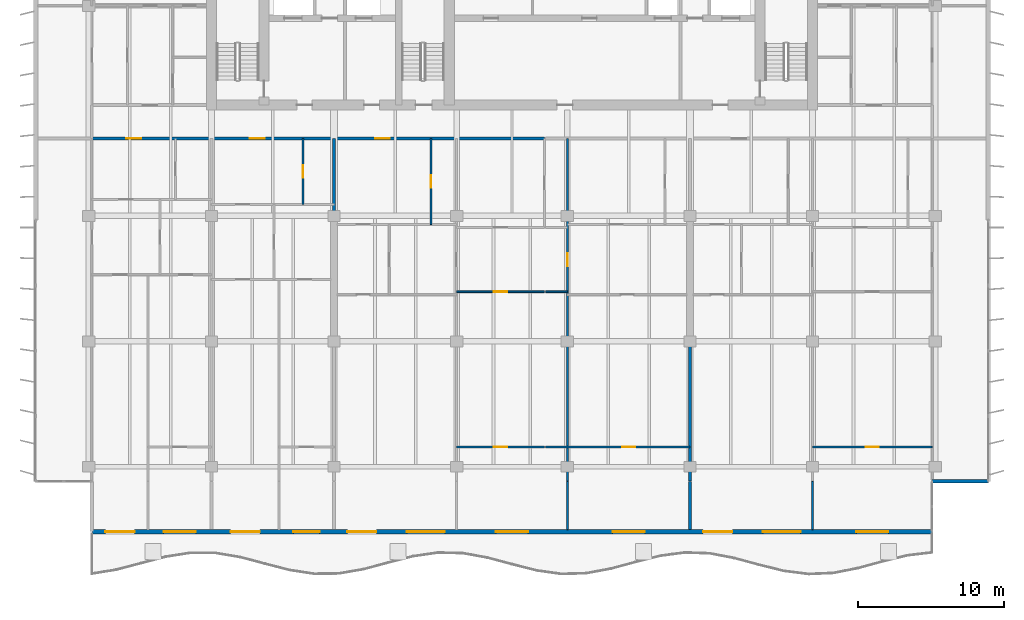
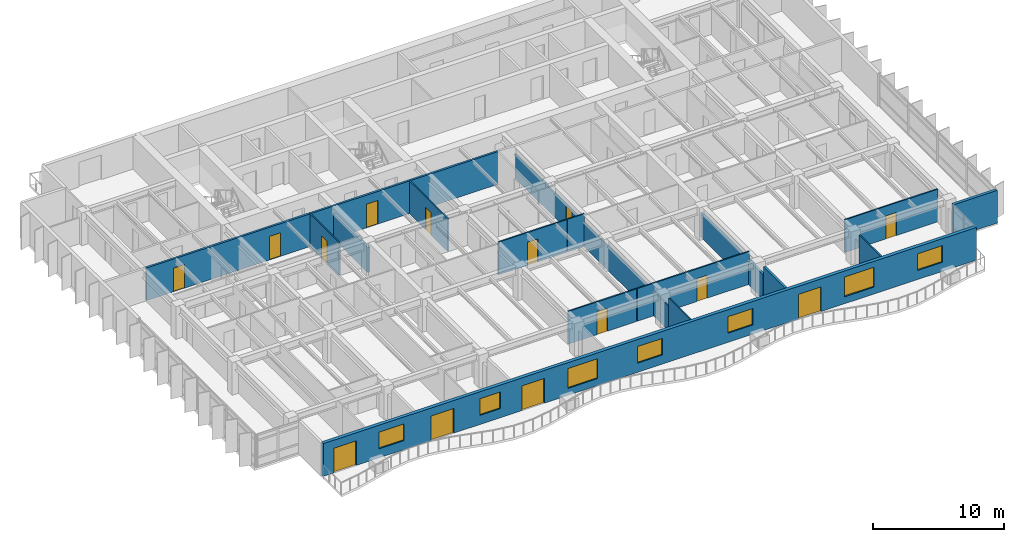
# One storey, part 9 of 17: 16 walls, 14 doors, 7 windows, 21 openings.
"""IFC4 building model written with IfcOpenShell, lengths in metres."""

from ifc_helpers import new_model, si_unit, direction, frame, frame_2d, origin, place, context, subcontext, project, spatial, rectangle, extrude, material, layer, layer_set, type_object, element, fill, save


model = new_model("IFC4")

# Units and contexts
model_context = context("Model", 3, precision=1e-05, world=origin(), true_north=direction((0.0, 1.0)))
body_context = subcontext(model_context, "Body", "Model", "MODEL_VIEW")
ifc_project = project(units=[si_unit("LENGTHUNIT", "METRE"), si_unit("AREAUNIT", "SQUARE_METRE"), si_unit("VOLUMEUNIT", "CUBIC_METRE"), si_unit("PLANEANGLEUNIT", "RADIAN"), si_unit("MASSUNIT", "GRAM", prefix="KILO")], contexts=[model_context])

# Site, building, storey
site_placement = place(None, origin())
site = spatial("IfcSite", under=ifc_project, at=site_placement, CompositionType="ELEMENT")
building_placement = place(site_placement, origin())
building = spatial("IfcBuilding", under=site, at=building_placement, Name="Caelmar Bay Residences", CompositionType="ELEMENT")
storey_placement = place(building_placement, frame((0.0, 0.0, 201.60009765625)))
storey = spatial("IfcBuildingStorey", under=building, at=storey_placement, Name="L56", CompositionType="ELEMENT", Elevation=201.60009765625)

# Wall, openings, doors
ifc_material_1 = material(Name="Double-stud acoustic fire-rated gypsum partition 180 mm")
ifc_layer_1 = layer(ifc_material_1, 0.179931640625)
ifc_layer_set_1 = layer_set([ifc_layer_1], Name="Double-stud acoustic fire-rated gypsum partition 180 mm")
wall_type_1 = type_object("IfcWallType", Name="W-COR-200", PredefinedType="PARTITIONING", material=ifc_layer_set_1)
wall_1_placement = place(storey_placement, frame((10.10498046875, 34.699951171875, 0.0), z_axis=(0.0, 0.0, 1.0), x_axis=(1.0, 0.0, 0.0)))
wall_1 = element("IfcWall", 1, at=wall_1_placement, inside=storey, type_object=wall_type_1, Name="L56 Partition Wall H078", PredefinedType="PARTITIONING", context=body_context, shape_type="SweptSolid", body=[
    extrude(rectangle(XDim=31.02099609375, YDim=0.179931640625, at=frame_2d((15.510498046875, 0.0))), origin(), (0.0, 0.0, 1.0), 3.0498046875),
])
opening_1_placement = place(wall_1_placement, frame((2.365478515625, 0.0, 0.0)))
opening_1 = element("IfcOpeningElement", 2, at=opening_1_placement, cuts=wall_1, Name="Opening D-L56-122", PredefinedType="OPENING", context=body_context, shape_type="SweptSolid", body=[
    extrude(rectangle(XDim=1.0, YDim=2.199951171875, at=frame_2d((0.5, 1.10009765625))), frame((0.0, 0.099853515625, 0.0), z_axis=(0.0, -1.0, 0.0), x_axis=(1.0, 0.0, 0.0)), (0.0, 0.0, 1.0), 0.199951171875),
])
opening_2_placement = place(wall_1_placement, frame((10.8330078125, 0.0, 0.0)))
opening_2 = element("IfcOpeningElement", 3, at=opening_2_placement, cuts=wall_1, Name="Opening D-L56-129", PredefinedType="OPENING", context=body_context, shape_type="SweptSolid", body=[
    extrude(rectangle(XDim=1.0, YDim=2.199951171875, at=frame_2d((0.5, 1.10009765625))), frame((0.0, 0.099853515625, 0.0), z_axis=(0.0, -1.0, 0.0), x_axis=(1.0, 0.0, 0.0)), (0.0, 0.0, 1.0), 0.199951171875),
])
opening_3_placement = place(wall_1_placement, frame((19.422119140625, 0.0, 0.0)))
opening_3 = element("IfcOpeningElement", 4, at=opening_3_placement, cuts=wall_1, Name="Opening D-L56-136", PredefinedType="OPENING", context=body_context, shape_type="SweptSolid", body=[
    extrude(rectangle(XDim=1.0, YDim=2.199951171875, at=frame_2d((0.5, 1.10009765625))), frame((0.0, 0.099853515625, 0.0), z_axis=(0.0, -1.0, 0.0), x_axis=(1.0, 0.0, 0.0)), (0.0, 0.0, 1.0), 0.199951171875),
])
ifc_material_2 = material(Name="Fire-rated steel and walnut architectural door assembly", Category="steel")
ifc_layer_2 = layer(ifc_material_2, 0.050048828125)
ifc_layer_set_2 = layer_set([ifc_layer_2], Name="Fire-rated steel and walnut architectural door assembly")
door_type_1 = type_object("IfcDoorType", Name="D-UNIT-1000", OperationType="NOTDEFINED", PredefinedType="DOOR", material=ifc_layer_set_2)
door_1_placement = place(opening_1_placement, origin())
door_1 = element("IfcDoor", 5, at=door_1_placement, inside=storey, type_object=door_type_1, Name="L56 Residence 01 Apartment Hall Door", OperationType="SINGLE_SWING_RIGHT", OverallHeight=2.199951171875, OverallWidth=1.0, PredefinedType="DOOR", context=body_context, shape_type="SweptSolid", body=[
    extrude(rectangle(XDim=1.0, YDim=2.199951171875, at=frame_2d((0.5, 1.10009765625))), frame((0.0, 0.02490234375, 0.0), z_axis=(0.0, -1.0, 0.0), x_axis=(1.0, 0.0, 0.0)), (0.0, 0.0, 1.0), 0.050048828125),
])
fill(opening_1, door_1)
door_2_placement = place(opening_2_placement, origin())
door_2 = element("IfcDoor", 6, at=door_2_placement, inside=storey, type_object=door_type_1, Name="L56 Residence 02 Apartment Hall Door", OperationType="SINGLE_SWING_LEFT", OverallHeight=2.199951171875, OverallWidth=1.0, PredefinedType="DOOR", context=body_context, shape_type="SweptSolid", body=[
    extrude(rectangle(XDim=1.0, YDim=2.199951171875, at=frame_2d((0.5, 1.10009765625))), frame((0.0, 0.02490234375, 0.0), z_axis=(0.0, -1.0, 0.0), x_axis=(1.0, 0.0, 0.0)), (0.0, 0.0, 1.0), 0.050048828125),
])
fill(opening_2, door_2)
door_3_placement = place(opening_3_placement, origin())
door_3 = element("IfcDoor", 7, at=door_3_placement, inside=storey, type_object=door_type_1, Name="L56 Residence 03 Apartment Hall Door", OperationType="SINGLE_SWING_RIGHT", OverallHeight=2.199951171875, OverallWidth=1.0, PredefinedType="DOOR", context=body_context, shape_type="SweptSolid", body=[
    extrude(rectangle(XDim=1.0, YDim=2.199951171875, at=frame_2d((0.5, 1.10009765625))), frame((0.0, 0.02490234375, 0.0), z_axis=(0.0, -1.0, 0.0), x_axis=(1.0, 0.0, 0.0)), (0.0, 0.0, 1.0), 0.050048828125),
])
fill(opening_3, door_3)

# Wall
ifc_material_3 = material(Name="Precast concrete f'c 40 MPa (6,000 psi)", Category="concrete")
ifc_layer_3 = layer(ifc_material_3, 0.25)
ifc_layer_set_3 = layer_set([ifc_layer_3], Name="Precast concrete f'c 40 MPa (6,000 psi)")
wall_type_2 = type_object("IfcWallType", Name="W-EXT-250", PredefinedType="ELEMENTEDWALL", material=ifc_layer_set_3)
wall_2_placement = place(storey_placement, frame((67.699951171875, 11.199951171875, 0.0), z_axis=(0.0, 0.0, 1.0), x_axis=(1.0, 0.0, 0.0)))
element("IfcWall", 8, at=wall_2_placement, inside=storey, type_object=wall_type_2, Name="L56 SE Notch Return Wall", PredefinedType="ELEMENTEDWALL", context=body_context, shape_type="SweptSolid", body=[
    extrude(rectangle(XDim=3.85009765625, YDim=0.25, at=frame_2d((1.925048828125, 0.0))), origin(), (0.0, 0.0, 1.0), 3.0498046875),
])

# Wall, openings, doors, windows
ifc_layer_4 = layer(ifc_material_3, 0.300048828125)
ifc_layer_set_4 = layer_set([ifc_layer_4], Name="Precast concrete f'c 40 MPa (6,000 psi)")
wall_type_3 = type_object("IfcWallType", Name="W-EXT-300", PredefinedType="STANDARD", material=ifc_layer_set_4)
wall_3_placement = place(storey_placement, frame((67.699951171875, 7.75, 0.0), z_axis=(0.0, 0.0, 1.0), x_axis=(-1.0, 0.0, 0.0)))
wall_3 = element("IfcWall", 9, at=wall_3_placement, inside=storey, type_object=wall_type_3, Name="L56 South Bayfront Exterior Wall", PredefinedType="STANDARD", context=body_context, shape_type="SweptSolid", body=[
    extrude(rectangle(XDim=57.599853515625, YDim=0.300048828125, at=frame_2d((28.7998046875, 0.0))), origin(), (0.0, 0.0, 1.0), 3.0498046875),
])
opening_4_placement = place(wall_3_placement, frame((54.673095703125, 0.0, 0.0)))
opening_4 = element("IfcOpeningElement", 10, at=opening_4_placement, cuts=wall_3, Name="Opening L56-BD01", PredefinedType="OPENING", context=body_context, shape_type="SweptSolid", body=[
    extrude(rectangle(XDim=2.0, YDim=2.300048828125, at=frame_2d((1.0, 1.14990234375))), frame((0.0, 0.159912109375, 0.0), z_axis=(0.0, -1.0, 0.0), x_axis=(1.0, 0.0, 0.0)), (0.0, 0.0, 1.0), 0.320068359375),
])
opening_5_placement = place(wall_3_placement, frame((50.472900390625, 0.0, 0.85009765625)))
opening_5 = element("IfcOpeningElement", 11, at=opening_5_placement, cuts=wall_3, Name="Opening WN2", PredefinedType="OPENING", context=body_context, shape_type="SweptSolid", body=[
    extrude(rectangle(XDim=2.199951171875, YDim=1.550048828125, at=frame_2d((1.10009765625, 0.77490234375))), frame((0.0, 0.159912109375, 0.0), z_axis=(0.0, -1.0, 0.0), x_axis=(1.0, 0.0, 0.0)), (0.0, 0.0, 1.0), 0.320068359375),
])
opening_6_placement = place(wall_3_placement, frame((46.090087890625, 0.0, 0.0)))
opening_6 = element("IfcOpeningElement", 12, at=opening_6_placement, cuts=wall_3, Name="Opening L56-BD02", PredefinedType="OPENING", context=body_context, shape_type="SweptSolid", body=[
    extrude(rectangle(XDim=2.0, YDim=2.300048828125, at=frame_2d((1.0, 1.14990234375))), frame((0.0, 0.159912109375, 0.0), z_axis=(0.0, -1.0, 0.0), x_axis=(1.0, 0.0, 0.0)), (0.0, 0.0, 1.0), 0.320068359375),
])
opening_7_placement = place(wall_3_placement, frame((41.989990234375, 0.0, 0.85009765625)))
opening_7 = element("IfcOpeningElement", 13, at=opening_7_placement, cuts=wall_3, Name="Opening WN1", PredefinedType="OPENING", context=body_context, shape_type="SweptSolid", body=[
    extrude(rectangle(XDim=1.800048828125, YDim=1.550048828125, at=frame_2d((0.89990234375, 0.77490234375))), frame((0.0, 0.159912109375, 0.0), z_axis=(0.0, -1.0, 0.0), x_axis=(1.0, 0.0, 0.0)), (0.0, 0.0, 1.0), 0.320068359375),
])
opening_8_placement = place(wall_3_placement, frame((38.090087890625, 0.0, 0.0)))
opening_8 = element("IfcOpeningElement", 14, at=opening_8_placement, cuts=wall_3, Name="Opening L56-BD03", PredefinedType="OPENING", context=body_context, shape_type="SweptSolid", body=[
    extrude(rectangle(XDim=2.0, YDim=2.300048828125, at=frame_2d((1.0, 1.14990234375))), frame((0.0, 0.159912109375, 0.0), z_axis=(0.0, -1.0, 0.0), x_axis=(1.0, 0.0, 0.0)), (0.0, 0.0, 1.0), 0.320068359375),
])
opening_9_placement = place(wall_3_placement, frame((33.409912109375, 0.0, 0.64990234375)))
opening_9 = element("IfcOpeningElement", 15, at=opening_9_placement, cuts=wall_3, Name="Opening WN3", PredefinedType="OPENING", context=body_context, shape_type="SweptSolid", body=[
    extrude(rectangle(XDim=2.60009765625, YDim=1.85009765625, at=frame_2d((1.300048828125, 0.925048828125))), frame((0.0, 0.159912109375, 0.0), z_axis=(0.0, -1.0, 0.0), x_axis=(1.0, 0.0, 0.0)), (0.0, 0.0, 1.0), 0.320068359375),
])
opening_10_placement = place(wall_3_placement, frame((27.699951171875, 0.0, 0.85009765625)))
opening_10 = element("IfcOpeningElement", 16, at=opening_10_placement, cuts=wall_3, Name="Opening WN2", PredefinedType="OPENING", context=body_context, shape_type="SweptSolid", body=[
    extrude(rectangle(XDim=2.199951171875, YDim=1.550048828125, at=frame_2d((1.10009765625, 0.77490234375))), frame((0.0, 0.159912109375, 0.0), z_axis=(0.0, -1.0, 0.0), x_axis=(1.0, 0.0, 0.0)), (0.0, 0.0, 1.0), 0.320068359375),
])
opening_11_placement = place(wall_3_placement, frame((19.699951171875, 0.0, 0.85009765625)))
opening_11 = element("IfcOpeningElement", 17, at=opening_11_placement, cuts=wall_3, Name="Opening WN2", PredefinedType="OPENING", context=body_context, shape_type="SweptSolid", body=[
    extrude(rectangle(XDim=2.199951171875, YDim=1.550048828125, at=frame_2d((1.10009765625, 0.77490234375))), frame((0.0, 0.159912109375, 0.0), z_axis=(0.0, -1.0, 0.0), x_axis=(1.0, 0.0, 0.0)), (0.0, 0.0, 1.0), 0.320068359375),
])
opening_12_placement = place(wall_3_placement, frame((13.68994140625, 0.0, 0.0)))
opening_12 = element("IfcOpeningElement", 18, at=opening_12_placement, cuts=wall_3, Name="Opening L56-BD04", PredefinedType="OPENING", context=body_context, shape_type="SweptSolid", body=[
    extrude(rectangle(XDim=2.0, YDim=2.300048828125, at=frame_2d((1.0, 1.14990234375))), frame((0.0, 0.159912109375, 0.0), z_axis=(0.0, -1.0, 0.0), x_axis=(1.0, 0.0, 0.0)), (0.0, 0.0, 1.0), 0.320068359375),
])
opening_13_placement = place(wall_3_placement, frame((9.010009765625, 0.0, 0.64990234375)))
opening_13 = element("IfcOpeningElement", 19, at=opening_13_placement, cuts=wall_3, Name="Opening WN3", PredefinedType="OPENING", context=body_context, shape_type="SweptSolid", body=[
    extrude(rectangle(XDim=2.60009765625, YDim=1.85009765625, at=frame_2d((1.300048828125, 0.925048828125))), frame((0.0, 0.159912109375, 0.0), z_axis=(0.0, -1.0, 0.0), x_axis=(1.0, 0.0, 0.0)), (0.0, 0.0, 1.0), 0.320068359375),
])
opening_14_placement = place(wall_3_placement, frame((3.0, 0.0, 0.85009765625)))
opening_14 = element("IfcOpeningElement", 20, at=opening_14_placement, cuts=wall_3, Name="Opening WN2", PredefinedType="OPENING", context=body_context, shape_type="SweptSolid", body=[
    extrude(rectangle(XDim=2.199951171875, YDim=1.550048828125, at=frame_2d((1.10009765625, 0.77490234375))), frame((0.0, 0.159912109375, 0.0), z_axis=(0.0, -1.0, 0.0), x_axis=(1.0, 0.0, 0.0)), (0.0, 0.0, 1.0), 0.320068359375),
])
ifc_material_4 = material(Name="Anodised bronze thermally broken sliding glass door", Category="glass")
ifc_layer_5 = layer(ifc_material_4, 0.050048828125)
ifc_layer_set_5 = layer_set([ifc_layer_5], Name="Anodised bronze thermally broken sliding glass door")
door_type_2 = type_object("IfcDoorType", Name="D-BAL-2000", OperationType="DOUBLE_DOOR_SLIDING", PredefinedType="DOOR", material=ifc_layer_set_5)
door_4_placement = place(opening_4_placement, origin())
door_4 = element("IfcDoor", 21, at=door_4_placement, inside=storey, type_object=door_type_2, Name="L56 Residence 01 Living Room Balcony Door", OperationType="DOUBLE_DOOR_SLIDING", OverallHeight=2.300048828125, OverallWidth=2.0, PredefinedType="DOOR", context=body_context, shape_type="SweptSolid", body=[
    extrude(rectangle(XDim=2.0, YDim=2.300048828125, at=frame_2d((1.0, 1.14990234375))), frame((0.0, 0.02490234375, 0.0), z_axis=(0.0, -1.0, 0.0), x_axis=(1.0, 0.0, 0.0)), (0.0, 0.0, 1.0), 0.050048828125),
])
fill(opening_4, door_4)
door_5_placement = place(opening_6_placement, origin())
door_5 = element("IfcDoor", 22, at=door_5_placement, inside=storey, type_object=door_type_2, Name="L56 Residence 02 Penthouse Living Salon Balcony Door", OperationType="DOUBLE_DOOR_SLIDING", OverallHeight=2.300048828125, OverallWidth=2.0, PredefinedType="DOOR", context=body_context, shape_type="SweptSolid", body=[
    extrude(rectangle(XDim=2.0, YDim=2.300048828125, at=frame_2d((1.0, 1.14990234375))), frame((0.0, 0.02490234375, 0.0), z_axis=(0.0, -1.0, 0.0), x_axis=(1.0, 0.0, 0.0)), (0.0, 0.0, 1.0), 0.050048828125),
])
fill(opening_6, door_5)
door_6_placement = place(opening_8_placement, origin())
door_6 = element("IfcDoor", 23, at=door_6_placement, inside=storey, type_object=door_type_2, Name="L56 Residence 03 Penthouse Living Salon Balcony Door", OperationType="DOUBLE_DOOR_SLIDING", OverallHeight=2.300048828125, OverallWidth=2.0, PredefinedType="DOOR", context=body_context, shape_type="SweptSolid", body=[
    extrude(rectangle(XDim=2.0, YDim=2.300048828125, at=frame_2d((1.0, 1.14990234375))), frame((0.0, 0.02490234375, 0.0), z_axis=(0.0, -1.0, 0.0), x_axis=(1.0, 0.0, 0.0)), (0.0, 0.0, 1.0), 0.050048828125),
])
fill(opening_8, door_6)
door_7_placement = place(opening_12_placement, origin())
door_7 = element("IfcDoor", 24, at=door_7_placement, inside=storey, type_object=door_type_2, Name="L56 Residence 04 Penthouse Living Salon Balcony Door", OperationType="DOUBLE_DOOR_SLIDING", OverallHeight=2.300048828125, OverallWidth=2.0, PredefinedType="DOOR", context=body_context, shape_type="SweptSolid", body=[
    extrude(rectangle(XDim=2.0, YDim=2.300048828125, at=frame_2d((1.0, 1.14990234375))), frame((0.0, 0.02490234375, 0.0), z_axis=(0.0, -1.0, 0.0), x_axis=(1.0, 0.0, 0.0)), (0.0, 0.0, 1.0), 0.050048828125),
])
fill(opening_12, door_7)
ifc_material_5 = material(Name="Bronze aluminium frame with laminated low-E glass", Category="aluminium")
ifc_layer_6 = layer(ifc_material_5, 0.06005859375)
ifc_layer_set_6 = layer_set([ifc_layer_6], Name="Bronze aluminium frame with laminated low-E glass")
window_type_1 = type_object("IfcWindowType", Name="WIN-BR-1800", PartitioningType="SINGLE_PANEL", PredefinedType="WINDOW", material=ifc_layer_set_6)
window_1_placement = place(opening_7_placement, origin())
window_1 = element("IfcWindow", 25, at=window_1_placement, inside=storey, type_object=window_type_1, Name="L56 Residence 02 Primary Bedroom Window", OverallHeight=1.550048828125, OverallWidth=1.800048828125, PartitioningType="SINGLE_PANEL", PredefinedType="WINDOW", context=body_context, shape_type="SweptSolid", body=[
    extrude(rectangle(XDim=1.800048828125, YDim=1.550048828125, at=frame_2d((0.89990234375, 0.77490234375))), frame((0.0, 0.030029296875, 0.0), z_axis=(0.0, -1.0, 0.0), x_axis=(1.0, 0.0, 0.0)), (0.0, 0.0, 1.0), 0.06005859375),
])
fill(opening_7, window_1)
ifc_layer_7 = layer(ifc_material_5, 0.06005859375)
ifc_layer_set_7 = layer_set([ifc_layer_7], Name="Bronze aluminium frame with laminated low-E glass")
window_type_2 = type_object("IfcWindowType", Name="WIN-BR-2200", PartitioningType="SINGLE_PANEL", PredefinedType="WINDOW", material=ifc_layer_set_7)
window_2_placement = place(opening_5_placement, origin())
window_2 = element("IfcWindow", 26, at=window_2_placement, inside=storey, type_object=window_type_2, Name="L56 Residence 01 Primary Bedroom Window", OverallHeight=1.550048828125, OverallWidth=2.199951171875, PartitioningType="SINGLE_PANEL", PredefinedType="WINDOW", context=body_context, shape_type="SweptSolid", body=[
    extrude(rectangle(XDim=2.199951171875, YDim=1.550048828125, at=frame_2d((1.10009765625, 0.77490234375))), frame((0.0, 0.030029296875, 0.0), z_axis=(0.0, -1.0, 0.0), x_axis=(1.0, 0.0, 0.0)), (0.0, 0.0, 1.0), 0.06005859375),
])
fill(opening_5, window_2)
window_3_placement = place(opening_10_placement, origin())
window_3 = element("IfcWindow", 27, at=window_3_placement, inside=storey, type_object=window_type_2, Name="L56 Residence 03 Primary Bedroom 1 Window", OverallHeight=1.550048828125, OverallWidth=2.199951171875, PartitioningType="SINGLE_PANEL", PredefinedType="WINDOW", context=body_context, shape_type="SweptSolid", body=[
    extrude(rectangle(XDim=2.199951171875, YDim=1.550048828125, at=frame_2d((1.10009765625, 0.77490234375))), frame((0.0, 0.030029296875, 0.0), z_axis=(0.0, -1.0, 0.0), x_axis=(1.0, 0.0, 0.0)), (0.0, 0.0, 1.0), 0.06005859375),
])
fill(opening_10, window_3)
window_4_placement = place(opening_11_placement, origin())
window_4 = element("IfcWindow", 28, at=window_4_placement, inside=storey, type_object=window_type_2, Name="L56 Residence 03 Primary Bedroom 2 Window", OverallHeight=1.550048828125, OverallWidth=2.199951171875, PartitioningType="SINGLE_PANEL", PredefinedType="WINDOW", context=body_context, shape_type="SweptSolid", body=[
    extrude(rectangle(XDim=2.199951171875, YDim=1.550048828125, at=frame_2d((1.10009765625, 0.77490234375))), frame((0.0, 0.030029296875, 0.0), z_axis=(0.0, -1.0, 0.0), x_axis=(1.0, 0.0, 0.0)), (0.0, 0.0, 1.0), 0.06005859375),
])
fill(opening_11, window_4)
window_5_placement = place(opening_14_placement, origin())
window_5 = element("IfcWindow", 29, at=window_5_placement, inside=storey, type_object=window_type_2, Name="L56 Residence 04 Primary Bedroom 1 Window", OverallHeight=1.550048828125, OverallWidth=2.199951171875, PartitioningType="SINGLE_PANEL", PredefinedType="WINDOW", context=body_context, shape_type="SweptSolid", body=[
    extrude(rectangle(XDim=2.199951171875, YDim=1.550048828125, at=frame_2d((1.10009765625, 0.77490234375))), frame((0.0, 0.030029296875, 0.0), z_axis=(0.0, -1.0, 0.0), x_axis=(1.0, 0.0, 0.0)), (0.0, 0.0, 1.0), 0.06005859375),
])
fill(opening_14, window_5)
ifc_layer_8 = layer(ifc_material_5, 0.06005859375)
ifc_layer_set_8 = layer_set([ifc_layer_8], Name="Bronze aluminium frame with laminated low-E glass")
window_type_3 = type_object("IfcWindowType", Name="WIN-LIV-2600", PartitioningType="SINGLE_PANEL", PredefinedType="WINDOW", material=ifc_layer_set_8)
window_6_placement = place(opening_9_placement, origin())
window_6 = element("IfcWindow", 30, at=window_6_placement, inside=storey, type_object=window_type_3, Name="L56 Residence 03 Penthouse Living Salon Panoramic Window", OverallHeight=1.85009765625, OverallWidth=2.60009765625, PartitioningType="SINGLE_PANEL", PredefinedType="WINDOW", context=body_context, shape_type="SweptSolid", body=[
    extrude(rectangle(XDim=2.60009765625, YDim=1.85009765625, at=frame_2d((1.300048828125, 0.925048828125))), frame((0.0, 0.030029296875, 0.0), z_axis=(0.0, -1.0, 0.0), x_axis=(1.0, 0.0, 0.0)), (0.0, 0.0, 1.0), 0.06005859375),
])
fill(opening_9, window_6)
window_7_placement = place(opening_13_placement, origin())
window_7 = element("IfcWindow", 31, at=window_7_placement, inside=storey, type_object=window_type_3, Name="L56 Residence 04 Penthouse Living Salon Panoramic Window", OverallHeight=1.85009765625, OverallWidth=2.60009765625, PartitioningType="SINGLE_PANEL", PredefinedType="WINDOW", context=body_context, shape_type="SweptSolid", body=[
    extrude(rectangle(XDim=2.60009765625, YDim=1.85009765625, at=frame_2d((1.300048828125, 0.925048828125))), frame((0.0, 0.030029296875, 0.0), z_axis=(0.0, -1.0, 0.0), x_axis=(1.0, 0.0, 0.0)), (0.0, 0.0, 1.0), 0.06005859375),
])
fill(opening_13, window_7)

# Wall, opening, door
ifc_material_6 = material(Name="Acoustic metal-stud gypsum partition 120 mm")
ifc_layer_9 = layer(ifc_material_6, 0.1201171875)
ifc_layer_set_9 = layer_set([ifc_layer_9], Name="Acoustic metal-stud gypsum partition 120 mm")
wall_type_4 = type_object("IfcWallType", Name="W-PRT-120", PredefinedType="PARTITIONING", material=ifc_layer_set_9)
wall_4_placement = place(storey_placement, frame((24.575927734375, 30.179931640625, 0.0), z_axis=(0.0, 0.0, 1.0), x_axis=(0.0, 1.0, 0.0)))
wall_4 = element("IfcWall", 32, at=wall_4_placement, inside=storey, type_object=wall_type_4, Name="L56 Partition Wall V017", PredefinedType="PARTITIONING", context=body_context, shape_type="SweptSolid", body=[
    extrude(rectangle(XDim=4.52001953125, YDim=0.1201171875, at=frame_2d((2.260009765625, 0.0))), origin(), (0.0, 0.0, 1.0), 3.0498046875),
])
opening_15_placement = place(wall_4_placement, frame((1.8349609375, 0.0, 0.0)))
opening_15 = element("IfcOpeningElement", 33, at=opening_15_placement, cuts=wall_4, Name="Opening D-L56-130", PredefinedType="OPENING", context=body_context, shape_type="SweptSolid", body=[
    extrude(rectangle(XDim=0.85009765625, YDim=2.10009765625, at=frame_2d((0.425048828125, 1.050048828125))), frame((0.0, 0.070068359375, 0.0), z_axis=(0.0, -1.0, 0.0), x_axis=(1.0, 0.0, 0.0)), (0.0, 0.0, 1.0), 0.14013671875),
])
ifc_material_7 = material(Name="Solid walnut timber interior door leaf and frame", Category="wood")
ifc_layer_10 = layer(ifc_material_7, 0.050048828125)
ifc_layer_set_10 = layer_set([ifc_layer_10], Name="Solid walnut timber interior door leaf and frame")
door_type_3 = type_object("IfcDoorType", Name="D-BATH-850", OperationType="NOTDEFINED", PredefinedType="DOOR", material=ifc_layer_set_10)
door_8_placement = place(opening_15_placement, origin())
door_8 = element("IfcDoor", 34, at=door_8_placement, inside=storey, type_object=door_type_3, Name="L56 Residence 02 Bathroom Door", OperationType="SINGLE_SWING_RIGHT", OverallHeight=2.10009765625, OverallWidth=0.85009765625, PredefinedType="DOOR", context=body_context, shape_type="SweptSolid", body=[
    extrude(rectangle(XDim=0.85009765625, YDim=2.10009765625, at=frame_2d((0.425048828125, 1.050048828125))), frame((0.0, 0.02490234375, 0.0), z_axis=(0.0, -1.0, 0.0), x_axis=(1.0, 0.0, 0.0)), (0.0, 0.0, 1.0), 0.050048828125),
])
fill(opening_15, door_8)

wall_5_placement = place(storey_placement, frame((33.35400390625, 28.800048828125, 0.0), z_axis=(0.0, 0.0, 1.0), x_axis=(0.0, 1.0, 0.0)))
wall_5 = element("IfcWall", 35, at=wall_5_placement, inside=storey, type_object=wall_type_4, Name="L56 Partition Wall V026", PredefinedType="PARTITIONING", context=body_context, shape_type="SweptSolid", body=[
    extrude(rectangle(XDim=5.89990234375, YDim=0.1201171875, at=frame_2d((2.949951171875, 0.0))), origin(), (0.0, 0.0, 1.0), 3.0498046875),
])
opening_16_placement = place(wall_5_placement, frame((2.52490234375, 0.0, 0.0)))
opening_16 = element("IfcOpeningElement", 36, at=opening_16_placement, cuts=wall_5, Name="Opening D-L56-137", PredefinedType="OPENING", context=body_context, shape_type="SweptSolid", body=[
    extrude(rectangle(XDim=0.85009765625, YDim=2.10009765625, at=frame_2d((0.425048828125, 1.050048828125))), frame((0.0, 0.070068359375, 0.0), z_axis=(0.0, -1.0, 0.0), x_axis=(1.0, 0.0, 0.0)), (0.0, 0.0, 1.0), 0.14013671875),
])
door_9_placement = place(opening_16_placement, origin())
door_9 = element("IfcDoor", 37, at=door_9_placement, inside=storey, type_object=door_type_3, Name="L56 Residence 03 Guest Bathroom Door", OperationType="SINGLE_SWING_LEFT", OverallHeight=2.10009765625, OverallWidth=0.85009765625, PredefinedType="DOOR", context=body_context, shape_type="SweptSolid", body=[
    extrude(rectangle(XDim=0.85009765625, YDim=2.10009765625, at=frame_2d((0.425048828125, 1.050048828125))), frame((0.0, 0.02490234375, 0.0), z_axis=(0.0, -1.0, 0.0), x_axis=(1.0, 0.0, 0.0)), (0.0, 0.0, 1.0), 0.050048828125),
])
fill(opening_16, door_9)

# Wall
wall_6_placement = place(storey_placement, frame((42.699951171875, 7.89501953125, 0.0), z_axis=(0.0, 0.0, 1.0), x_axis=(0.0, 1.0, 0.0)))
element("IfcWall", 38, at=wall_6_placement, inside=storey, type_object=wall_type_4, Name="L56 Partition Wall V032", PredefinedType="PARTITIONING", context=body_context, shape_type="SweptSolid", body=[
    extrude(rectangle(XDim=3.304931640625, YDim=0.1201171875, at=frame_2d((1.65234375, 0.0))), origin(), (0.0, 0.0, 1.0), 3.0498046875),
])

# Wall, opening, door
wall_7_placement = place(storey_placement, frame((42.699951171875, 11.239990234375, 0.0), z_axis=(0.0, 0.0, 1.0), x_axis=(0.0, 1.0, 0.0)))
wall_7 = element("IfcWall", 39, at=wall_7_placement, inside=storey, type_object=wall_type_4, Name="L56 Partition Wall V033", PredefinedType="PARTITIONING", context=body_context, shape_type="SweptSolid", body=[
    extrude(rectangle(XDim=23.4599609375, YDim=0.1201171875, at=frame_2d((11.72998046875, 0.0))), origin(), (0.0, 0.0, 1.0), 2.262939453125),
])
opening_17_placement = place(wall_7_placement, frame((14.7099609375, 0.0, 0.0)))
opening_17 = element("IfcOpeningElement", 40, at=opening_17_placement, cuts=wall_7, Name="Opening D-L56-146", PredefinedType="OPENING", context=body_context, shape_type="SweptSolid", body=[
    extrude(rectangle(XDim=0.89990234375, YDim=2.14990234375, at=frame_2d((0.449951171875, 1.074951171875))), frame((0.0, 0.070068359375, 0.0), z_axis=(0.0, -1.0, 0.0), x_axis=(1.0, 0.0, 0.0)), (0.0, 0.0, 1.0), 0.14013671875),
])
ifc_layer_11 = layer(ifc_material_7, 0.050048828125)
ifc_layer_set_11 = layer_set([ifc_layer_11], Name="Solid walnut timber interior door leaf and frame")
door_type_4 = type_object("IfcDoorType", Name="D-ROOM-900", OperationType="NOTDEFINED", PredefinedType="DOOR", material=ifc_layer_set_11)
door_10_placement = place(opening_17_placement, origin())
door_10 = element("IfcDoor", 41, at=door_10_placement, inside=storey, type_object=door_type_4, Name="L56 Residence 03 Family Room 2 Door", OperationType="SINGLE_SWING_RIGHT", OverallHeight=2.14990234375, OverallWidth=0.89990234375, PredefinedType="DOOR", context=body_context, shape_type="SweptSolid", body=[
    extrude(rectangle(XDim=0.89990234375, YDim=2.14990234375, at=frame_2d((0.449951171875, 1.074951171875))), frame((0.0, 0.02490234375, 0.0), z_axis=(0.0, -1.0, 0.0), x_axis=(1.0, 0.0, 0.0)), (0.0, 0.0, 1.0), 0.050048828125),
])
fill(opening_17, door_10)

# Wall
wall_8_placement = place(storey_placement, frame((59.5, 7.89501953125, 0.0), z_axis=(0.0, 0.0, 1.0), x_axis=(0.0, 1.0, 0.0)))
element("IfcWall", 42, at=wall_8_placement, inside=storey, type_object=wall_type_4, Name="L56 Partition Wall V047", PredefinedType="PARTITIONING", context=body_context, shape_type="SweptSolid", body=[
    extrude(rectangle(XDim=3.304931640625, YDim=0.1201171875, at=frame_2d((1.65234375, 0.0))), origin(), (0.0, 0.0, 1.0), 3.0498046875),
])

# Wall, opening, door
wall_9_placement = place(storey_placement, frame((35.10009765625, 13.550048828125, 0.0), z_axis=(0.0, 0.0, 1.0), x_axis=(1.0, 0.0, 0.0)))
wall_9 = element("IfcWall", 43, at=wall_9_placement, inside=storey, type_object=wall_type_4, Name="L56 Partition Wall H058", PredefinedType="PARTITIONING", context=body_context, shape_type="SweptSolid", body=[
    extrude(rectangle(XDim=6.02587890625, YDim=0.1201171875, at=frame_2d((3.012939453125, 0.0))), origin(), (0.0, 0.0, 1.0), 3.0498046875),
])
opening_18_placement = place(wall_9_placement, frame((2.56298828125, 0.0, 0.0)))
opening_18 = element("IfcOpeningElement", 44, at=opening_18_placement, cuts=wall_9, Name="Opening D-L56-145", PredefinedType="OPENING", context=body_context, shape_type="SweptSolid", body=[
    extrude(rectangle(XDim=0.89990234375, YDim=2.14990234375, at=frame_2d((0.449951171875, 1.074951171875))), frame((0.0, 0.070068359375, 0.0), z_axis=(0.0, -1.0, 0.0), x_axis=(1.0, 0.0, 0.0)), (0.0, 0.0, 1.0), 0.14013671875),
])
door_11_placement = place(opening_18_placement, origin())
door_11 = element("IfcDoor", 45, at=door_11_placement, inside=storey, type_object=door_type_4, Name="L56 Residence 03 Primary Bedroom 1 Door", OperationType="SINGLE_SWING_LEFT", OverallHeight=2.14990234375, OverallWidth=0.89990234375, PredefinedType="DOOR", context=body_context, shape_type="SweptSolid", body=[
    extrude(rectangle(XDim=0.89990234375, YDim=2.14990234375, at=frame_2d((0.449951171875, 1.074951171875))), frame((0.0, 0.02490234375, 0.0), z_axis=(0.0, -1.0, 0.0), x_axis=(1.0, 0.0, 0.0)), (0.0, 0.0, 1.0), 0.050048828125),
])
fill(opening_18, door_11)

wall_10_placement = place(storey_placement, frame((41.199951171875, 13.550048828125, 0.0), z_axis=(0.0, 0.0, 1.0), x_axis=(1.0, 0.0, 0.0)))
wall_10 = element("IfcWall", 46, at=wall_10_placement, inside=storey, type_object=wall_type_4, Name="L56 Partition Wall H059", PredefinedType="PARTITIONING", context=body_context, shape_type="SweptSolid", body=[
    extrude(rectangle(XDim=9.900146484375, YDim=0.1201171875, at=frame_2d((4.9501953125, 0.0))), origin(), (0.0, 0.0, 1.0), 3.0498046875),
])
opening_19_placement = place(wall_10_placement, frame((5.25, 0.0, 0.0)))
opening_19 = element("IfcOpeningElement", 47, at=opening_19_placement, cuts=wall_10, Name="Opening D-L56-150", PredefinedType="OPENING", context=body_context, shape_type="SweptSolid", body=[
    extrude(rectangle(XDim=0.89990234375, YDim=2.14990234375, at=frame_2d((0.449951171875, 1.074951171875))), frame((0.0, 0.070068359375, 0.0), z_axis=(0.0, -1.0, 0.0), x_axis=(1.0, 0.0, 0.0)), (0.0, 0.0, 1.0), 0.14013671875),
])
door_12_placement = place(opening_19_placement, origin())
door_12 = element("IfcDoor", 48, at=door_12_placement, inside=storey, type_object=door_type_4, Name="L56 Residence 03 Primary Bedroom 2 Door", OperationType="SINGLE_SWING_RIGHT", OverallHeight=2.14990234375, OverallWidth=0.89990234375, PredefinedType="DOOR", context=body_context, shape_type="SweptSolid", body=[
    extrude(rectangle(XDim=0.89990234375, YDim=2.14990234375, at=frame_2d((0.449951171875, 1.074951171875))), frame((0.0, 0.02490234375, 0.0), z_axis=(0.0, -1.0, 0.0), x_axis=(1.0, 0.0, 0.0)), (0.0, 0.0, 1.0), 0.050048828125),
])
fill(opening_19, door_12)

wall_11_placement = place(storey_placement, frame((59.5, 13.550048828125, 0.0), z_axis=(0.0, 0.0, 1.0), x_axis=(1.0, 0.0, 0.0)))
wall_11 = element("IfcWall", 49, at=wall_11_placement, inside=storey, type_object=wall_type_4, Name="L56 Partition Wall H060", PredefinedType="PARTITIONING", context=body_context, shape_type="SweptSolid", body=[
    extrude(rectangle(XDim=8.199951171875, YDim=0.1201171875, at=frame_2d((4.10009765625, 0.0))), origin(), (0.0, 0.0, 1.0), 3.0498046875),
])
opening_20_placement = place(wall_11_placement, frame((3.64990234375, 0.0, 0.0)))
opening_20 = element("IfcOpeningElement", 50, at=opening_20_placement, cuts=wall_11, Name="Opening D-L56-160", PredefinedType="OPENING", context=body_context, shape_type="SweptSolid", body=[
    extrude(rectangle(XDim=0.89990234375, YDim=2.14990234375, at=frame_2d((0.449951171875, 1.074951171875))), frame((0.0, 0.070068359375, 0.0), z_axis=(0.0, -1.0, 0.0), x_axis=(1.0, 0.0, 0.0)), (0.0, 0.0, 1.0), 0.14013671875),
])
door_13_placement = place(opening_20_placement, origin())
door_13 = element("IfcDoor", 51, at=door_13_placement, inside=storey, type_object=door_type_4, Name="L56 Residence 04 Primary Bedroom 1 Door", OperationType="SINGLE_SWING_RIGHT", OverallHeight=2.14990234375, OverallWidth=0.89990234375, PredefinedType="DOOR", context=body_context, shape_type="SweptSolid", body=[
    extrude(rectangle(XDim=0.89990234375, YDim=2.14990234375, at=frame_2d((0.449951171875, 1.074951171875))), frame((0.0, 0.02490234375, 0.0), z_axis=(0.0, -1.0, 0.0), x_axis=(1.0, 0.0, 0.0)), (0.0, 0.0, 1.0), 0.050048828125),
])
fill(opening_20, door_13)

wall_12_placement = place(storey_placement, frame((35.10498046875, 24.199951171875, 0.0), z_axis=(0.0, 0.0, 1.0), x_axis=(1.0, 0.0, 0.0)))
wall_12 = element("IfcWall", 52, at=wall_12_placement, inside=storey, type_object=wall_type_4, Name="L56 Partition Wall H064", PredefinedType="PARTITIONING", context=body_context, shape_type="SweptSolid", body=[
    extrude(rectangle(XDim=6.02099609375, YDim=0.1201171875, at=frame_2d((3.010498046875, 0.0))), origin(), (0.0, 0.0, 1.0), 3.0498046875),
])
opening_21_placement = place(wall_12_placement, frame((2.560546875, 0.0, 0.0)))
opening_21 = element("IfcOpeningElement", 53, at=opening_21_placement, cuts=wall_12, Name="Opening D-L56-144", PredefinedType="OPENING", context=body_context, shape_type="SweptSolid", body=[
    extrude(rectangle(XDim=0.89990234375, YDim=2.14990234375, at=frame_2d((0.449951171875, 1.074951171875))), frame((0.0, 0.070068359375, 0.0), z_axis=(0.0, -1.0, 0.0), x_axis=(1.0, 0.0, 0.0)), (0.0, 0.0, 1.0), 0.14013671875),
])
door_14_placement = place(opening_21_placement, origin())
door_14 = element("IfcDoor", 54, at=door_14_placement, inside=storey, type_object=door_type_4, Name="L56 Residence 03 Penthouse Sitting Salon 1 Door", OperationType="SINGLE_SWING_RIGHT", OverallHeight=2.14990234375, OverallWidth=0.89990234375, PredefinedType="DOOR", context=body_context, shape_type="SweptSolid", body=[
    extrude(rectangle(XDim=0.89990234375, YDim=2.14990234375, at=frame_2d((0.449951171875, 1.074951171875))), frame((0.0, 0.02490234375, 0.0), z_axis=(0.0, -1.0, 0.0), x_axis=(1.0, 0.0, 0.0)), (0.0, 0.0, 1.0), 0.050048828125),
])
fill(opening_21, door_14)

# Walls
wall_13_placement = place(storey_placement, frame((41.199951171875, 24.199951171875, 0.0), z_axis=(0.0, 0.0, 1.0), x_axis=(1.0, 0.0, 0.0)))
element("IfcWall", 55, at=wall_13_placement, inside=storey, type_object=wall_type_4, Name="L56 Partition Wall H065", PredefinedType="PARTITIONING", context=body_context, shape_type="SweptSolid", body=[
    extrude(rectangle(XDim=1.4951171875, YDim=0.1201171875, at=frame_2d((0.74755859375, 0.0))), origin(), (0.0, 0.0, 1.0), 3.0498046875),
])
ifc_material_8 = material(Name="Acoustic twin-stud fire-rated inter-tenancy partition 200 mm")
ifc_layer_12 = layer(ifc_material_8, 0.199951171875)
ifc_layer_set_12 = layer_set([ifc_layer_12], Name="Acoustic twin-stud fire-rated inter-tenancy partition 200 mm")
wall_type_5 = type_object("IfcWallType", Name="W-PTY-200", PredefinedType="PARTITIONING", material=ifc_layer_set_12)
wall_14_placement = place(storey_placement, frame((26.699951171875, 29.405029296875, 0.0), z_axis=(0.0, 0.0, 1.0), x_axis=(0.0, 1.0, 0.0)))
element("IfcWall", 56, at=wall_14_placement, inside=storey, type_object=wall_type_5, Name="L56 Partition Wall V021", PredefinedType="PARTITIONING", context=body_context, shape_type="SweptSolid", body=[
    extrude(rectangle(XDim=5.294921875, YDim=0.199951171875, at=frame_2d((2.6474609375, 0.0))), origin(), (0.0, 0.0, 1.0), 2.3349609375),
])
wall_15_placement = place(storey_placement, frame((51.10009765625, 7.89501953125, 0.0), z_axis=(0.0, 0.0, 1.0), x_axis=(0.0, 1.0, 0.0)))
element("IfcWall", 57, at=wall_15_placement, inside=storey, type_object=wall_type_5, Name="L56 Partition Wall V040", PredefinedType="PARTITIONING", context=body_context, shape_type="SweptSolid", body=[
    extrude(rectangle(XDim=3.304931640625, YDim=0.199951171875, at=frame_2d((1.65234375, 0.0))), origin(), (0.0, 0.0, 1.0), 3.0498046875),
])
wall_16_placement = place(storey_placement, frame((51.10009765625, 11.239990234375, 0.0), z_axis=(0.0, 0.0, 1.0), x_axis=(0.0, 1.0, 0.0)))
element("IfcWall", 58, at=wall_16_placement, inside=storey, type_object=wall_type_5, Name="L56 Partition Wall V041", PredefinedType="PARTITIONING", context=body_context, shape_type="SweptSolid", body=[
    extrude(rectangle(XDim=9.554931640625, YDim=0.199951171875, at=frame_2d((4.77734375, 0.0))), origin(), (0.0, 0.0, 1.0), 2.262939453125),
])

save(model, "model.ifc")
